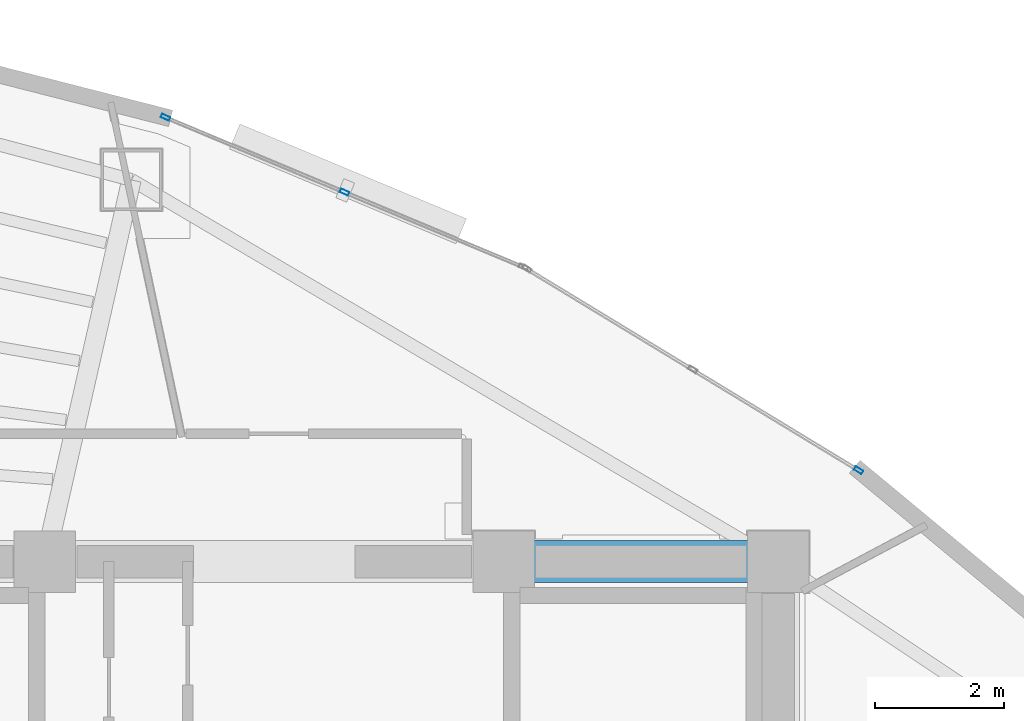
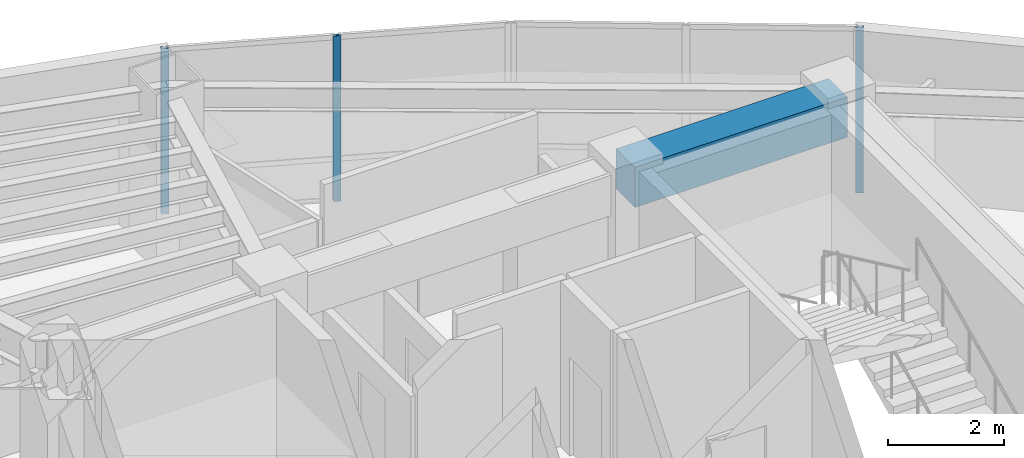
# One storey, part 9 of 15: 3 members, 1 beam, 2 elements without a shape of their own.
"""IFC4 building model written with IfcOpenShell, lengths in metres."""

from ifc_helpers import new_model, si_unit, direction, frame, origin, origin_2d, place, context, subcontext, project, spatial, rectangle, hollow_rectangle, extrude, material, layer, layer_set, material_profile, profile_set, type_object, element, aggregate, save


model = new_model("IFC4")

# Units and contexts
model_context = context("Model", 3, precision=1e-05, world=origin(), true_north=direction((0.0, 1.0)))
body_context = subcontext(model_context, "Body", "Model", "MODEL_VIEW")
ifc_project = project(units=[si_unit("LENGTHUNIT", "METRE"), si_unit("AREAUNIT", "SQUARE_METRE"), si_unit("VOLUMEUNIT", "CUBIC_METRE"), si_unit("PLANEANGLEUNIT", "RADIAN"), si_unit("MASSUNIT", "GRAM", prefix="KILO")], contexts=[model_context])

# Site, building, storey
site_placement = place(None, origin())
site = spatial("IfcSite", under=ifc_project, at=site_placement, CompositionType="ELEMENT")
building_placement = place(site_placement, origin())
building = spatial("IfcBuilding", under=site, at=building_placement, Name="Menara Vayukalpa", CompositionType="ELEMENT")
storey_placement = place(building_placement, frame((0.0, 0.0, 223.260009765625)))
storey = spatial("IfcBuildingStorey", under=building, at=storey_placement, Name="L56", CompositionType="ELEMENT", Elevation=223.260009765625)

# Beam
ifc_material_1 = material(Name="Concrete C60/75", Category="concrete")
ifc_material_profile_1 = material_profile(ifc_material_1, rectangle(XDim=0.64990234375, YDim=0.85009765625, at=origin_2d()), Name="RC 650x850")
ifc_profile_set_1 = profile_set([ifc_material_profile_1], Name="Concrete C60/75")
beam_type = type_object("IfcBeamType", Name="BM-CB1", PredefinedType="BEAM", material=ifc_profile_set_1)
beam_placement = place(storey_placement, frame((29.14990234375, 26.800048828125, 3.074951171875), z_axis=(1.0, 0.0, 0.0), x_axis=(0.0, 1.0, 0.0)))
element("IfcBeam", 1, at=beam_placement, inside=storey, type_object=beam_type, Name="L56 Core Tie Beam CBR6", PredefinedType="BEAM", context=body_context, shape_type="SweptSolid", body=[
    extrude(rectangle(XDim=0.64990234375, YDim=0.85009765625, at=origin_2d()), origin(), (0.0, 0.0, 1.0), 4.25),
])

# Curtain wall, member
ifc_material_2 = material(Name="Anodised Terracotta Aluminium Alloy 6063-T6", Category="masonry")
ifc_layer = layer(ifc_material_2, 0.139892578125)
ifc_layer_set = layer_set([ifc_layer], Name="Anodised Terracotta Aluminium Alloy 6063-T6")
curtain_wall_type = type_object("IfcCurtainWallType", Name="CW-CW5", PredefinedType="USERDEFINED", material=ifc_layer_set)
curtain_wall_1_placement = place(storey_placement, origin())
curtain_wall_1 = element("IfcCurtainWall", 2, at=curtain_wall_1_placement, inside=storey, type_object=curtain_wall_type, Name="L56 High Rise Tapered Curtain Wall CW5 04", ObjectType="UNITISED", PredefinedType="USERDEFINED")
ifc_material_3 = material(Name="Anodised Terracotta Aluminium Alloy 6063-T6", Category="masonry")
ifc_material_profile_2 = material_profile(ifc_material_3, hollow_rectangle(XDim=0.06005859375, YDim=0.139892578125, WallThickness=0.00341796875, at=origin_2d()), Name="ALU 60x140x3.5")
ifc_profile_set_2 = profile_set([ifc_material_profile_2], Name="Anodised Terracotta Aluminium Alloy 6063-T6")
member_type = type_object("IfcMemberType", Name="CWM-CW5", PredefinedType="MULLION", material=ifc_profile_set_2)
member_1_placement = place(storey_placement, frame((34.6416015625, 28.21484375, 0.0), z_axis=(0.0, 0.0, 1.0), x_axis=(-0.519179911779, -0.854664974832, 0.0)))
member_1 = element("IfcMember", 3, at=member_1_placement, type_object=member_type, Name="CW5 mullion 1", PredefinedType="MULLION", context=body_context, shape_type="SweptSolid", body=[
    extrude(hollow_rectangle(XDim=0.06005859375, YDim=0.139892578125, WallThickness=0.00341796875, at=origin_2d()), origin(), (0.0, 0.0, 1.0), 3.5),
])
aggregate(curtain_wall_1, [member_1])

# Curtain wall, members
curtain_wall_2_placement = place(storey_placement, origin())
curtain_wall_2 = element("IfcCurtainWall", 4, at=curtain_wall_2_placement, inside=storey, type_object=curtain_wall_type, Name="L56 High Rise Tapered Curtain Wall CW5 05", ObjectType="UNITISED", PredefinedType="USERDEFINED")
member_2_placement = place(storey_placement, frame((26.686279296875, 32.518310546875, 0.0), z_axis=(0.0, 0.0, 1.0), x_axis=(-0.385902834406, -0.922539431351, 0.0)))
member_2 = element("IfcMember", 5, at=member_2_placement, type_object=member_type, Name="CW5 mullion 2", PredefinedType="MULLION", context=body_context, shape_type="SweptSolid", body=[
    extrude(hollow_rectangle(XDim=0.06005859375, YDim=0.139892578125, WallThickness=0.00341796875, at=origin_2d()), origin(), (0.0, 0.0, 1.0), 3.5),
])
member_3_placement = place(storey_placement, frame((23.916259765625, 33.677001953125, 0.0), z_axis=(0.0, 0.0, 1.0), x_axis=(-0.385902834406, -0.922539431351, 0.0)))
member_3 = element("IfcMember", 6, at=member_3_placement, type_object=member_type, Name="CW5 mullion 3", PredefinedType="MULLION", context=body_context, shape_type="SweptSolid", body=[
    extrude(hollow_rectangle(XDim=0.06005859375, YDim=0.139892578125, WallThickness=0.00341796875, at=origin_2d()), origin(), (0.0, 0.0, 1.0), 3.5),
])
aggregate(curtain_wall_2, [member_2, member_3])

save(model, "model.ifc")
